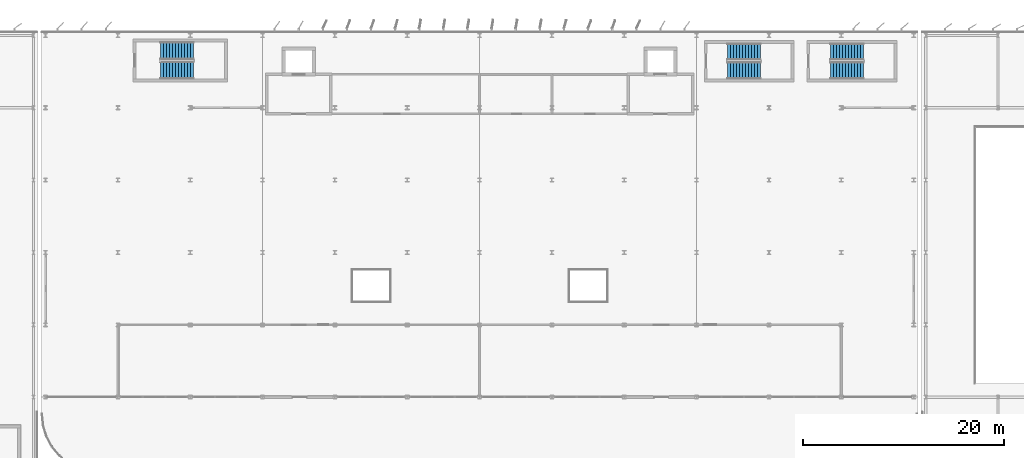
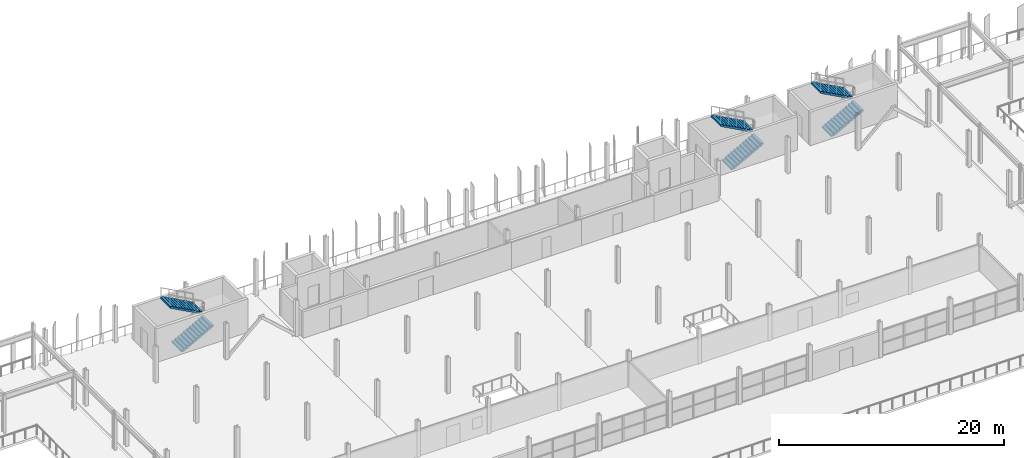
# One storey, part 30 of 40: 6 stair flights, 3 elements without a shape of their own.
"""IFC4 building model written with IfcOpenShell, lengths in metres."""

from ifc_helpers import new_model, si_unit, direction, frame, origin, place, context, subcontext, project, spatial, polyline, outline, extrude, material, layer, layer_set, type_object, element, aggregate, save


model = new_model("IFC4")

# Units and contexts
model_context = context("Model", 3, precision=1e-05, world=origin(), true_north=direction((0.0, 1.0)))
body_context = subcontext(model_context, "Body", "Model", "MODEL_VIEW")
ifc_project = project(units=[si_unit("LENGTHUNIT", "METRE"), si_unit("AREAUNIT", "SQUARE_METRE"), si_unit("VOLUMEUNIT", "CUBIC_METRE"), si_unit("PLANEANGLEUNIT", "RADIAN"), si_unit("MASSUNIT", "GRAM", prefix="KILO")], contexts=[model_context])

# Site, building, storey
site_placement = place(None, origin())
site = spatial("IfcSite", under=ifc_project, at=site_placement, CompositionType="ELEMENT")
building_placement = place(site_placement, origin())
building = spatial("IfcBuilding", under=site, at=building_placement, Name="Vaelcorin Mobility Hub", CompositionType="ELEMENT")
storey_placement = place(building_placement, frame((0.0, 0.0, 17.10009765625)))
storey = spatial("IfcBuildingStorey", under=building, at=storey_placement, Name="L04", CompositionType="ELEMENT", Elevation=17.10009765625)

# Stair, stair flights
ifc_material = material(Name="Reinforced concrete f'c 45 MPa", Category="concrete")
stair_type_1 = type_object("IfcStairType", Name="STAIR-ST3", PredefinedType="HALF_TURN_STAIR", material=ifc_material)
stair_1_placement = place(storey_placement, origin())
stair_1 = element("IfcStair", 1, at=stair_1_placement, inside=storey, type_object=stair_type_1, Name="L04 Protected Exit Stair ST3", PredefinedType="HALF_TURN_STAIR")
ifc_layer_1 = layer(ifc_material, 0.22412109375)
ifc_layer_set_1 = layer_set([ifc_layer_1], Name="Reinforced concrete f'c 45 MPa")
stair_flight_type_1 = type_object("IfcStairFlightType", Name="FLT-ST3", PredefinedType="STRAIGHT", material=ifc_layer_set_1)
stair_flight_1_placement = place(storey_placement, frame((47.449951171875, 116.52001953125, 0.0), z_axis=(0.0, 0.0, 1.0), x_axis=(1.0, 0.0, 0.0)))
stair_flight_1 = element("IfcStairFlight", 2, at=stair_flight_1_placement, type_object=stair_flight_type_1, Name="ST3 flight 1", NumberOfRisers=12, NumberOfTreads=11, PredefinedType="STRAIGHT", RiserHeight=0.1625, TreadLength=0.3, context=body_context, shape_type="SweptSolid", body=[
    extrude(outline(polyline([(0.0, 0.0), (0.0, 0.16259765625), (0.300048828125, 0.16259765625), (0.300048828125, 0.324951171875), (0.60009765625, 0.324951171875), (0.60009765625, 0.487548828125), (0.89990234375, 0.487548828125), (0.89990234375, 0.64990234375), (1.199951171875, 0.64990234375), (1.199951171875, 0.8125), (1.5, 0.8125), (1.5, 0.97509765625), (1.800048828125, 0.97509765625), (1.800048828125, 1.137451171875), (2.10009765625, 1.137451171875), (2.10009765625, 1.300048828125), (2.39990234375, 1.300048828125), (2.39990234375, 1.46240234375), (2.699951171875, 1.46240234375), (2.699951171875, 1.625), (3.0, 1.625), (3.0, 1.78759765625), (3.300048828125, 1.78759765625), (3.300048828125, 1.949951171875), (3.300048828125, 1.605712890625), (0.335693359375, 0.0), (0.0, 0.0)])), frame((0.0, 0.8701171875, 0.0), z_axis=(0.0, -1.0, 0.0), x_axis=(1.0, 0.0, 0.0)), (0.0, 0.0, 1.0), 1.739990234375),
])
stair_flight_2_placement = place(storey_placement, frame((50.75, 118.4599609375, 1.949951171875), z_axis=(0.0, 0.0, 1.0), x_axis=(-1.0, 0.0, 0.0)))
stair_flight_2 = element("IfcStairFlight", 3, at=stair_flight_2_placement, type_object=stair_flight_type_1, Name="ST3 flight 2", NumberOfRisers=12, NumberOfTreads=11, PredefinedType="STRAIGHT", RiserHeight=0.1625, TreadLength=0.3, context=body_context, shape_type="SweptSolid", body=[
    extrude(outline(polyline([(0.0, 0.0), (0.0, 0.16259765625), (0.300048828125, 0.16259765625), (0.300048828125, 0.324951171875), (0.60009765625, 0.324951171875), (0.60009765625, 0.487548828125), (0.89990234375, 0.487548828125), (0.89990234375, 0.64990234375), (1.199951171875, 0.64990234375), (1.199951171875, 0.8125), (1.5, 0.8125), (1.5, 0.97509765625), (1.800048828125, 0.97509765625), (1.800048828125, 1.137451171875), (2.10009765625, 1.137451171875), (2.10009765625, 1.300048828125), (2.39990234375, 1.300048828125), (2.39990234375, 1.46240234375), (2.699951171875, 1.46240234375), (2.699951171875, 1.625), (3.0, 1.625), (3.0, 1.78759765625), (3.300048828125, 1.78759765625), (3.300048828125, 1.949951171875), (3.300048828125, 1.605712890625), (0.335693359375, 0.0), (0.0, 0.0)])), frame((0.0, 0.8701171875, 0.0), z_axis=(0.0, -1.0, 0.0), x_axis=(1.0, 0.0, 0.0)), (0.0, 0.0, 1.0), 1.739990234375),
])
aggregate(stair_1, [stair_flight_1, stair_flight_2])

stair_type_2 = type_object("IfcStairType", Name="STAIR-ST4", PredefinedType="HALF_TURN_STAIR", material=ifc_material)
stair_2_placement = place(storey_placement, origin())
stair_2 = element("IfcStair", 4, at=stair_2_placement, inside=storey, type_object=stair_type_2, Name="L04 Protected Exit Stair ST4", PredefinedType="HALF_TURN_STAIR")
ifc_layer_2 = layer(ifc_material, 0.23193359375)
ifc_layer_set_2 = layer_set([ifc_layer_2], Name="Reinforced concrete f'c 45 MPa")
stair_flight_type_2 = type_object("IfcStairFlightType", Name="FLT-ST4", PredefinedType="STRAIGHT", material=ifc_layer_set_2)
stair_flight_3_placement = place(storey_placement, frame((103.85009765625, 116.489990234375, 0.0), z_axis=(0.0, 0.0, 1.0), x_axis=(1.0, 0.0, 0.0)))
stair_flight_3 = element("IfcStairFlight", 5, at=stair_flight_3_placement, type_object=stair_flight_type_2, Name="ST4 flight 1", NumberOfRisers=12, NumberOfTreads=11, PredefinedType="STRAIGHT", RiserHeight=0.1625, TreadLength=0.3, context=body_context, shape_type="SweptSolid", body=[
    extrude(outline(polyline([(0.0, 0.0), (0.0, 0.16259765625), (0.300048828125, 0.16259765625), (0.300048828125, 0.324951171875), (0.60009765625, 0.324951171875), (0.60009765625, 0.487548828125), (0.89990234375, 0.487548828125), (0.89990234375, 0.64990234375), (1.199951171875, 0.64990234375), (1.199951171875, 0.8125), (1.5, 0.8125), (1.5, 0.97509765625), (1.800048828125, 0.97509765625), (1.800048828125, 1.137451171875), (2.10009765625, 1.137451171875), (2.10009765625, 1.300048828125), (2.39990234375, 1.300048828125), (2.39990234375, 1.46240234375), (2.699951171875, 1.46240234375), (2.699951171875, 1.625), (3.0, 1.625), (3.0, 1.78759765625), (3.300048828125, 1.78759765625), (3.300048828125, 1.949951171875), (3.300048828125, 1.605712890625), (0.335693359375, 0.0), (0.0, 0.0)])), frame((0.0, 0.83984375, 0.0), z_axis=(0.0, -1.0, 0.0), x_axis=(1.0, 0.0, 0.0)), (0.0, 0.0, 1.0), 1.679931640625),
])
stair_flight_4_placement = place(storey_placement, frame((107.14990234375, 118.3701171875, 1.949951171875), z_axis=(0.0, 0.0, 1.0), x_axis=(-1.0, 0.0, 0.0)))
stair_flight_4 = element("IfcStairFlight", 6, at=stair_flight_4_placement, type_object=stair_flight_type_2, Name="ST4 flight 2", NumberOfRisers=12, NumberOfTreads=11, PredefinedType="STRAIGHT", RiserHeight=0.1625, TreadLength=0.3, context=body_context, shape_type="SweptSolid", body=[
    extrude(outline(polyline([(0.0, 0.0), (0.0, 0.16259765625), (0.300048828125, 0.16259765625), (0.300048828125, 0.324951171875), (0.60009765625, 0.324951171875), (0.60009765625, 0.487548828125), (0.89990234375, 0.487548828125), (0.89990234375, 0.64990234375), (1.199951171875, 0.64990234375), (1.199951171875, 0.8125), (1.5, 0.8125), (1.5, 0.97509765625), (1.800048828125, 0.97509765625), (1.800048828125, 1.137451171875), (2.10009765625, 1.137451171875), (2.10009765625, 1.300048828125), (2.39990234375, 1.300048828125), (2.39990234375, 1.46240234375), (2.699951171875, 1.46240234375), (2.699951171875, 1.625), (3.0, 1.625), (3.0, 1.78759765625), (3.300048828125, 1.78759765625), (3.300048828125, 1.949951171875), (3.300048828125, 1.605712890625), (0.335693359375, 0.0), (0.0, 0.0)])), frame((0.0, 0.83984375, 0.0), z_axis=(0.0, -1.0, 0.0), x_axis=(1.0, 0.0, 0.0)), (0.0, 0.0, 1.0), 1.679931640625),
])
aggregate(stair_2, [stair_flight_3, stair_flight_4])

stair_type_3 = type_object("IfcStairType", Name="STAIR-ST9", PredefinedType="HALF_TURN_STAIR", material=ifc_material)
stair_3_placement = place(storey_placement, origin())
stair_3 = element("IfcStair", 7, at=stair_3_placement, inside=storey, type_object=stair_type_3, Name="L04 Protected Exit Stair ST9", PredefinedType="HALF_TURN_STAIR")
ifc_layer_3 = layer(ifc_material, 0.27197265625)
ifc_layer_set_3 = layer_set([ifc_layer_3], Name="Reinforced concrete f'c 45 MPa")
stair_flight_type_3 = type_object("IfcStairFlightType", Name="FLT-ST9", PredefinedType="STRAIGHT", material=ifc_layer_set_3)
stair_flight_5_placement = place(storey_placement, frame((114.10009765625, 116.489990234375, 0.0), z_axis=(0.0, 0.0, 1.0), x_axis=(1.0, 0.0, 0.0)))
stair_flight_5 = element("IfcStairFlight", 8, at=stair_flight_5_placement, type_object=stair_flight_type_3, Name="ST9 flight 1", NumberOfRisers=12, NumberOfTreads=11, PredefinedType="STRAIGHT", RiserHeight=0.1625, TreadLength=0.3, context=body_context, shape_type="SweptSolid", body=[
    extrude(outline(polyline([(0.0, 0.0), (0.0, 0.16259765625), (0.300048828125, 0.16259765625), (0.300048828125, 0.324951171875), (0.60009765625, 0.324951171875), (0.60009765625, 0.487548828125), (0.89990234375, 0.487548828125), (0.89990234375, 0.64990234375), (1.199951171875, 0.64990234375), (1.199951171875, 0.8125), (1.5, 0.8125), (1.5, 0.97509765625), (1.800048828125, 0.97509765625), (1.800048828125, 1.137451171875), (2.10009765625, 1.137451171875), (2.10009765625, 1.300048828125), (2.39990234375, 1.300048828125), (2.39990234375, 1.46240234375), (2.699951171875, 1.46240234375), (2.699951171875, 1.625), (3.0, 1.625), (3.0, 1.78759765625), (3.300048828125, 1.78759765625), (3.300048828125, 1.949951171875), (3.300048828125, 1.605712890625), (0.335693359375, 0.0), (0.0, 0.0)])), frame((0.0, 0.83984375, 0.0), z_axis=(0.0, -1.0, 0.0), x_axis=(1.0, 0.0, 0.0)), (0.0, 0.0, 1.0), 1.679931640625),
])
stair_flight_6_placement = place(storey_placement, frame((117.39990234375, 118.3701171875, 1.949951171875), z_axis=(0.0, 0.0, 1.0), x_axis=(-1.0, 0.0, 0.0)))
stair_flight_6 = element("IfcStairFlight", 9, at=stair_flight_6_placement, type_object=stair_flight_type_3, Name="ST9 flight 2", NumberOfRisers=12, NumberOfTreads=11, PredefinedType="STRAIGHT", RiserHeight=0.1625, TreadLength=0.3, context=body_context, shape_type="SweptSolid", body=[
    extrude(outline(polyline([(0.0, 0.0), (0.0, 0.16259765625), (0.300048828125, 0.16259765625), (0.300048828125, 0.324951171875), (0.60009765625, 0.324951171875), (0.60009765625, 0.487548828125), (0.89990234375, 0.487548828125), (0.89990234375, 0.64990234375), (1.199951171875, 0.64990234375), (1.199951171875, 0.8125), (1.5, 0.8125), (1.5, 0.97509765625), (1.800048828125, 0.97509765625), (1.800048828125, 1.137451171875), (2.10009765625, 1.137451171875), (2.10009765625, 1.300048828125), (2.39990234375, 1.300048828125), (2.39990234375, 1.46240234375), (2.699951171875, 1.46240234375), (2.699951171875, 1.625), (3.0, 1.625), (3.0, 1.78759765625), (3.300048828125, 1.78759765625), (3.300048828125, 1.949951171875), (3.300048828125, 1.605712890625), (0.335693359375, 0.0), (0.0, 0.0)])), frame((0.0, 0.83984375, 0.0), z_axis=(0.0, -1.0, 0.0), x_axis=(1.0, 0.0, 0.0)), (0.0, 0.0, 1.0), 1.679931640625),
])
aggregate(stair_3, [stair_flight_5, stair_flight_6])

save(model, "model.ifc")
